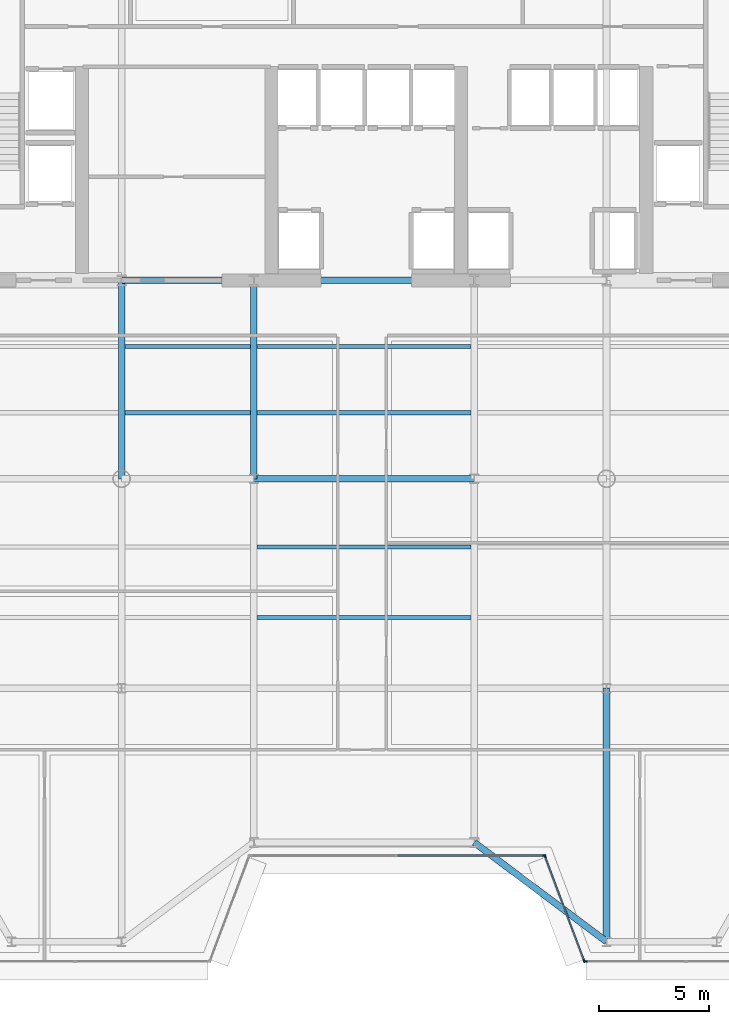
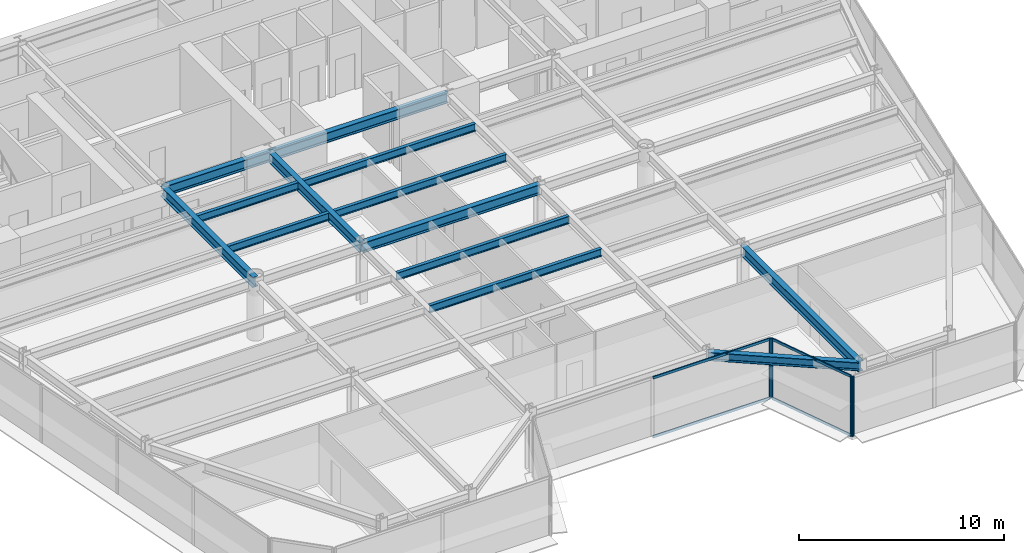
# One storey, part 5 of 16: 13 beams, 8 members, 3 elements without a shape of their own.
"""IFC4 building model written with IfcOpenShell, lengths in metres."""

from ifc_helpers import new_model, si_unit, direction, frame, origin, origin_2d, place, context, subcontext, project, spatial, rectangle, i_section, extrude, source, transform, mapped, material, layer, layer_set, material_profile, profile_set, type_object, element, aggregate, save


model = new_model("IFC4")

# Units and contexts
model_context = context("Model", 3, precision=1e-05, world=origin(), true_north=direction((0.0, 1.0)))
body_context = subcontext(model_context, "Body", "Model", "MODEL_VIEW")
ifc_project = project(units=[si_unit("LENGTHUNIT", "METRE"), si_unit("AREAUNIT", "SQUARE_METRE"), si_unit("VOLUMEUNIT", "CUBIC_METRE"), si_unit("PLANEANGLEUNIT", "RADIAN"), si_unit("MASSUNIT", "GRAM", prefix="KILO")], contexts=[model_context])

# Site, building, storey
site_placement = place(None, origin())
site = spatial("IfcSite", under=ifc_project, at=site_placement, CompositionType="ELEMENT")
building_placement = place(site_placement, origin())
building = spatial("IfcBuilding", under=site, at=building_placement, Name="Vaeldorn Concourse Tower", CompositionType="ELEMENT")
storey_placement = place(building_placement, frame((0.0, 0.0, 191.800048828125)))
storey = spatial("IfcBuildingStorey", under=building, at=storey_placement, Name="L49", CompositionType="ELEMENT", Elevation=191.800048828125)

# Beams
ifc_material_1 = material(Name="Steel S355", Category="steel")
ifc_material_profile_1 = material_profile(ifc_material_1, i_section(OverallWidth=0.300048828125, OverallDepth=0.5, WebThickness=0.014404296875, FlangeThickness=0.028076171875, FilletRadius=0.027099609375, at=origin_2d()), Name="HEB 500")
ifc_profile_set_1 = profile_set([ifc_material_profile_1], Name="Steel S355")
beam_type_1 = type_object("IfcBeamType", Name="BM-SP-HEB500", PredefinedType="SPANDREL", material=ifc_profile_set_1)
shared_shape_1 = source(origin(), body_context, "Body", "SweptSolid", [
    extrude(i_section(OverallWidth=0.300048828125, OverallDepth=0.5, WebThickness=0.014404296875, FlangeThickness=0.028076171875, FilletRadius=0.027099609375, at=origin_2d()), origin(), (0.0, 0.0, 1.0), 7.5),
])
beam_1_placement = place(storey_placement, frame((39.0, 11.0, 3.329833984375), z_axis=(0.8, -0.6, 0.0), x_axis=(0.6, 0.8, 0.0)))
element("IfcBeam", 1, at=beam_1_placement, inside=storey, type_object=beam_type_1, Name="Beam BM-L49-C-SF4-C-SF5", PredefinedType="SPANDREL", context=body_context, shape_type="MappedRepresentation", body=[
    mapped(shared_shape_1, transform((0.0, 0.0, 0.0), scale=1.0)),
])
ifc_material_profile_2 = material_profile(ifc_material_1, i_section(OverallWidth=0.18994140625, OverallDepth=0.449951171875, WebThickness=0.009521484375, FlangeThickness=0.0146484375, FilletRadius=0.02099609375, at=origin_2d()), Name="IPE 450")
ifc_profile_set_2 = profile_set([ifc_material_profile_2], Name="Steel S355")
beam_type_2 = type_object("IfcBeamType", Name="BM-JS-IPE450", PredefinedType="JOIST", material=ifc_profile_set_2)
shared_shape_2 = source(origin(), body_context, "Body", "SweptSolid", [
    extrude(i_section(OverallWidth=0.18994140625, OverallDepth=0.449951171875, WebThickness=0.009521484375, FlangeThickness=0.0146484375, FilletRadius=0.02099609375, at=origin_2d()), origin(), (0.0, 0.0, 1.0), 5.7001953125),
])
for number, where, z_axis, x_axis, name in (
    (2, (23.14990234375, 30.5, 3.35498046875), (1.0, 0.0, 0.0), (0.0, 1.0, 0.0), "Beam JS-L49-W2-305"),
    (3, (23.14990234375, 33.5, 3.35498046875), (1.0, 0.0, 0.0), (0.0, 1.0, 0.0), "Beam JS-L49-W2-335"),
):
    element("IfcBeam", number, at=place(storey_placement, frame(where, z_axis=z_axis, x_axis=x_axis)), inside=storey, type_object=beam_type_2, Name=name, PredefinedType="JOIST", context=body_context, shape_type="MappedRepresentation", body=[
        mapped(shared_shape_2, transform((0.0, 0.0, 0.0), scale=1.0)),
    ])
shared_shape_3 = source(origin(), body_context, "Body", "SweptSolid", [
    extrude(i_section(OverallWidth=0.18994140625, OverallDepth=0.449951171875, WebThickness=0.009521484375, FlangeThickness=0.0146484375, FilletRadius=0.02099609375, at=origin_2d()), origin(), (0.0, 0.0, 1.0), 9.7001953125),
])
for number, where, z_axis, x_axis, name in (
    (4, (29.14990234375, 21.199951171875, 3.35498046875), (1.0, 0.0, 0.0), (0.0, 1.0, 0.0), "Beam JS-L49-C-212"),
    (5, (29.14990234375, 24.39990234375, 3.35498046875), (1.0, 0.0, 0.0), (0.0, 1.0, 0.0), "Beam JS-L49-C-244"),
    (6, (29.14990234375, 30.5, 3.35498046875), (1.0, 0.0, 0.0), (0.0, 1.0, 0.0), "Beam JS-L49-C-305"),
    (7, (29.14990234375, 33.5, 3.35498046875), (1.0, 0.0, 0.0), (0.0, 1.0, 0.0), "Beam JS-L49-C-335"),
):
    element("IfcBeam", number, at=place(storey_placement, frame(where, z_axis=z_axis, x_axis=x_axis)), inside=storey, type_object=beam_type_2, Name=name, PredefinedType="JOIST", context=body_context, shape_type="MappedRepresentation", body=[
        mapped(shared_shape_3, transform((0.0, 0.0, 0.0), scale=1.0)),
    ])
ifc_material_profile_3 = material_profile(ifc_material_1, i_section(OverallWidth=0.300048828125, OverallDepth=0.60009765625, WebThickness=0.015380859375, FlangeThickness=0.030029296875, FilletRadius=0.027099609375, at=origin_2d()), Name="HEB 600")
ifc_profile_set_3 = profile_set([ifc_material_profile_3], Name="Steel S355")
beam_type_3 = type_object("IfcBeamType", Name="BM-PG-HEB600", PredefinedType="BEAM", material=ifc_profile_set_3)
shared_shape_4 = source(origin(), body_context, "Body", "SweptSolid", [
    extrude(i_section(OverallWidth=0.300048828125, OverallDepth=0.60009765625, WebThickness=0.015380859375, FlangeThickness=0.030029296875, FilletRadius=0.027099609375, at=origin_2d()), origin(), (0.0, 0.0, 1.0), 6.0),
])
beam_2_placement = place(storey_placement, frame((23.0, 36.5, 3.280029296875), z_axis=(1.0, 0.0, 0.0), x_axis=(0.0, 1.0, 0.0)))
element("IfcBeam", 8, at=beam_2_placement, inside=storey, type_object=beam_type_3, Name="Beam BM-L49-C-FC2-C-FC3", PredefinedType="BEAM", context=body_context, shape_type="MappedRepresentation", body=[
    mapped(shared_shape_4, transform((0.0, 0.0, 0.0), scale=1.0)),
])
shared_shape_5 = source(origin(), body_context, "Body", "SweptSolid", [
    extrude(i_section(OverallWidth=0.300048828125, OverallDepth=0.60009765625, WebThickness=0.015380859375, FlangeThickness=0.030029296875, FilletRadius=0.027099609375, at=origin_2d()), origin(), (0.0, 0.0, 1.0), 10.0),
])
for number, where, z_axis, x_axis, name in (
    (9, (29.0, 36.5, 3.280029296875), (1.0, 0.0, 0.0), (0.0, 1.0, 0.0), "Beam BM-L49-C-FC3-C-FC4"),
    (10, (29.0, 27.5, 3.280029296875), (1.0, 0.0, 0.0), (0.0, 1.0, 0.0), "Beam BM-L49-C-TW2-C-TW3"),
):
    element("IfcBeam", number, at=place(storey_placement, frame(where, z_axis=z_axis, x_axis=x_axis)), inside=storey, type_object=beam_type_3, Name=name, PredefinedType="BEAM", context=body_context, shape_type="MappedRepresentation", body=[
        mapped(shared_shape_5, transform((0.0, 0.0, 0.0), scale=1.0)),
    ])
shared_shape_6 = source(origin(), body_context, "Body", "SweptSolid", [
    extrude(i_section(OverallWidth=0.300048828125, OverallDepth=0.60009765625, WebThickness=0.015380859375, FlangeThickness=0.030029296875, FilletRadius=0.027099609375, at=origin_2d()), origin(), (0.0, 0.0, 1.0), 9.0),
])
for number, where, z_axis, x_axis, name in (
    (11, (23.0, 27.5, 3.280029296875), (0.0, 1.0, 0.0), (-1.0, 0.0, 0.0), "Beam BM-L49-C-TW1-C-FC2"),
    (12, (29.0, 27.5, 3.280029296875), (0.0, 1.0, 0.0), (-1.0, 0.0, 0.0), "Beam BM-L49-C-TW2-C-FC3"),
):
    element("IfcBeam", number, at=place(storey_placement, frame(where, z_axis=z_axis, x_axis=x_axis)), inside=storey, type_object=beam_type_3, Name=name, PredefinedType="BEAM", context=body_context, shape_type="MappedRepresentation", body=[
        mapped(shared_shape_6, transform((0.0, 0.0, 0.0), scale=1.0)),
    ])
shared_shape_7 = source(origin(), body_context, "Body", "SweptSolid", [
    extrude(i_section(OverallWidth=0.300048828125, OverallDepth=0.60009765625, WebThickness=0.015380859375, FlangeThickness=0.030029296875, FilletRadius=0.027099609375, at=origin_2d()), origin(), (0.0, 0.0, 1.0), 11.5),
])
beam_3_placement = place(storey_placement, frame((45.0, 6.5, 3.280029296875), z_axis=(0.0, 1.0, 0.0), x_axis=(-1.0, 0.0, 0.0)))
element("IfcBeam", 13, at=beam_3_placement, inside=storey, type_object=beam_type_3, Name="Beam BM-L49-C-SF5-C-TW6", PredefinedType="BEAM", context=body_context, shape_type="MappedRepresentation", body=[
    mapped(shared_shape_7, transform((0.0, 0.0, 0.0), scale=1.0)),
])

# Curtain wall, member
ifc_material_2 = material(Name="Anodised Bronze Aluminium", Category="aluminium")
ifc_layer = layer(ifc_material_2, 0.18994140625)
ifc_layer_set = layer_set([ifc_layer], Name="Anodised Bronze Aluminium")
curtain_wall_type = type_object("IfcCurtainWallType", Name="CW-SYS-03", PredefinedType="NOTDEFINED", material=ifc_layer_set)
curtain_wall_1_placement = place(storey_placement, origin())
curtain_wall_1 = element("IfcCurtainWall", 14, at=curtain_wall_1_placement, inside=storey, type_object=curtain_wall_type, Name="Unitised Curtain Wall CW-L49-E03-1", PredefinedType="NOTDEFINED")
ifc_material_profile_4 = material_profile(ifc_material_2, rectangle(XDim=0.06494140625, YDim=0.169921875, at=origin_2d()), Name="CWM 65x170")
ifc_profile_set_4 = profile_set([ifc_material_profile_4], Name="Anodised Bronze Aluminium")
member_type_1 = type_object("IfcMemberType", Name="CWM-BRONZE-170", PredefinedType="MULLION", material=ifc_profile_set_4)
shared_shape_8 = source(origin(), body_context, "Body", "SweptSolid", [
    extrude(rectangle(XDim=0.06494140625, YDim=0.169921875, at=origin_2d()), origin(), (0.0, 0.0, 1.0), 3.579833984375),
])
member_1_placement = place(storey_placement, frame((42.16748046875, 10.39990234375, 0.0), z_axis=(0.0, 0.0, 1.0), x_axis=(0.0, 1.0, 0.0)))
member_1 = element("IfcMember", 15, at=member_1_placement, type_object=member_type_1, Name="CW-03 mullion 3", PredefinedType="MULLION", context=body_context, shape_type="MappedRepresentation", body=[
    mapped(shared_shape_8, transform((0.0, 0.0, 0.0), scale=1.0)),
])

# Curtain wall, members
curtain_wall_2_placement = place(storey_placement, origin())
curtain_wall_2 = element("IfcCurtainWall", 16, at=curtain_wall_2_placement, inside=storey, type_object=curtain_wall_type, Name="Unitised Curtain Wall CW-L49-E04-1", PredefinedType="NOTDEFINED")
member_2_placement = place(storey_placement, frame((42.21142578125, 10.36962890625, 0.0), z_axis=(0.0, 0.0, 1.0), x_axis=(0.936329177566, 0.351123441595, 0.0)))
member_2 = element("IfcMember", 17, at=member_2_placement, type_object=member_type_1, Name="CW-03 mullion 1", PredefinedType="MULLION", context=body_context, shape_type="MappedRepresentation", body=[
    mapped(shared_shape_8, transform((0.0, 0.0, 0.0), scale=1.0)),
])
member_3_placement = place(storey_placement, frame((43.988525390625, 5.63037109375, 0.0), z_axis=(0.0, 0.0, 1.0), x_axis=(0.936329177566, 0.351123441595, 0.0)))
member_3 = element("IfcMember", 18, at=member_3_placement, type_object=member_type_1, Name="CW-03 mullion 2", PredefinedType="MULLION", context=body_context, shape_type="MappedRepresentation", body=[
    mapped(shared_shape_8, transform((0.0, 0.0, 0.0), scale=1.0)),
])

# Curtain wall, member
curtain_wall_3_placement = place(storey_placement, origin())
curtain_wall_3 = element("IfcCurtainWall", 19, at=curtain_wall_3_placement, inside=storey, type_object=curtain_wall_type, Name="Unitised Curtain Wall CW-L49-E05-1", PredefinedType="NOTDEFINED")
member_4_placement = place(storey_placement, frame((44.032470703125, 5.60009765625, 0.0), z_axis=(0.0, 0.0, 1.0), x_axis=(0.0, 1.0, 0.0)))
member_4 = element("IfcMember", 20, at=member_4_placement, type_object=member_type_1, Name="CW-03 mullion 1", PredefinedType="MULLION", context=body_context, shape_type="MappedRepresentation", body=[
    mapped(shared_shape_8, transform((0.0, 0.0, 0.0), scale=1.0)),
])
aggregate(curtain_wall_3, [member_4])

# Member
ifc_material_profile_5 = material_profile(ifc_material_2, rectangle(XDim=0.06494140625, YDim=0.14990234375, at=origin_2d()), Name="CWT 65x150")
ifc_profile_set_5 = profile_set([ifc_material_profile_5], Name="Anodised Bronze Aluminium")
member_type_2 = type_object("IfcMemberType", Name="CWT-BRONZE-150", PredefinedType="USERDEFINED", material=ifc_profile_set_5)
shared_shape_9 = source(origin(), body_context, "Body", "SweptSolid", [
    extrude(rectangle(XDim=0.06494140625, YDim=0.14990234375, at=origin_2d()), origin(), (0.0, 0.0, 1.0), 4.996337890625),
])
member_5_placement = place(storey_placement, frame((42.222900390625, 10.339111328125, 0.032470703125), z_axis=(0.351134151405, -0.936325161318, 0.0), x_axis=(0.936325161318, 0.351134151405, 0.0)))
member_5 = element("IfcMember", 21, at=member_5_placement, type_object=member_type_2, Name="CW-03 transom 1.1", ObjectType="TRANSOM", PredefinedType="USERDEFINED", context=body_context, shape_type="MappedRepresentation", body=[
    mapped(shared_shape_9, transform((0.0, 0.0, 0.0), scale=1.0)),
])

member_6_placement = place(storey_placement, frame((42.222900390625, 10.339111328125, 3.54736328125), z_axis=(0.351134151405, -0.936325161318, 0.0), x_axis=(0.936325161318, 0.351134151405, 0.0)))
member_6 = element("IfcMember", 22, at=member_6_placement, type_object=member_type_2, Name="CW-03 transom 1.2", ObjectType="TRANSOM", PredefinedType="USERDEFINED", context=body_context, shape_type="MappedRepresentation", body=[
    mapped(shared_shape_9, transform((0.0, 0.0, 0.0), scale=1.0)),
])

aggregate(curtain_wall_2, [member_2, member_3, member_5, member_6])

shared_shape_10 = source(origin(), body_context, "Body", "SweptSolid", [
    extrude(rectangle(XDim=0.06494140625, YDim=0.14990234375, at=origin_2d()), origin(), (0.0, 0.0, 1.0), 6.6025390625),
])
member_7_placement = place(storey_placement, frame((35.532470703125, 10.39990234375, 0.032470703125), z_axis=(1.0, 0.0, 0.0), x_axis=(0.0, 1.0, 0.0)))
member_7 = element("IfcMember", 23, at=member_7_placement, type_object=member_type_2, Name="CW-03 transom 2.1", ObjectType="TRANSOM", PredefinedType="USERDEFINED", context=body_context, shape_type="MappedRepresentation", body=[
    mapped(shared_shape_10, transform((0.0, 0.0, 0.0), scale=1.0)),
])

member_8_placement = place(storey_placement, frame((35.532470703125, 10.39990234375, 3.54736328125), z_axis=(1.0, 0.0, 0.0), x_axis=(0.0, 1.0, 0.0)))
member_8 = element("IfcMember", 24, at=member_8_placement, type_object=member_type_2, Name="CW-03 transom 2.2", ObjectType="TRANSOM", PredefinedType="USERDEFINED", context=body_context, shape_type="MappedRepresentation", body=[
    mapped(shared_shape_10, transform((0.0, 0.0, 0.0), scale=1.0)),
])

aggregate(curtain_wall_1, [member_1, member_7, member_8])

save(model, "model.ifc")
